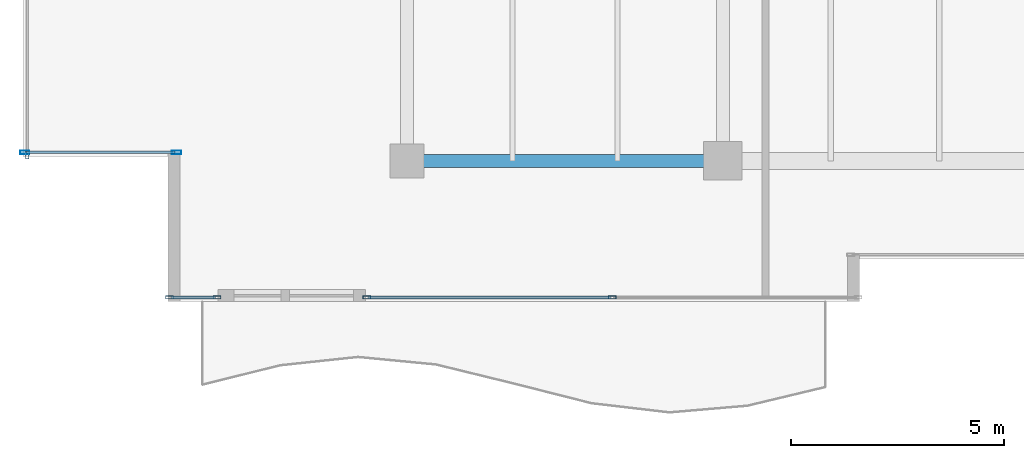
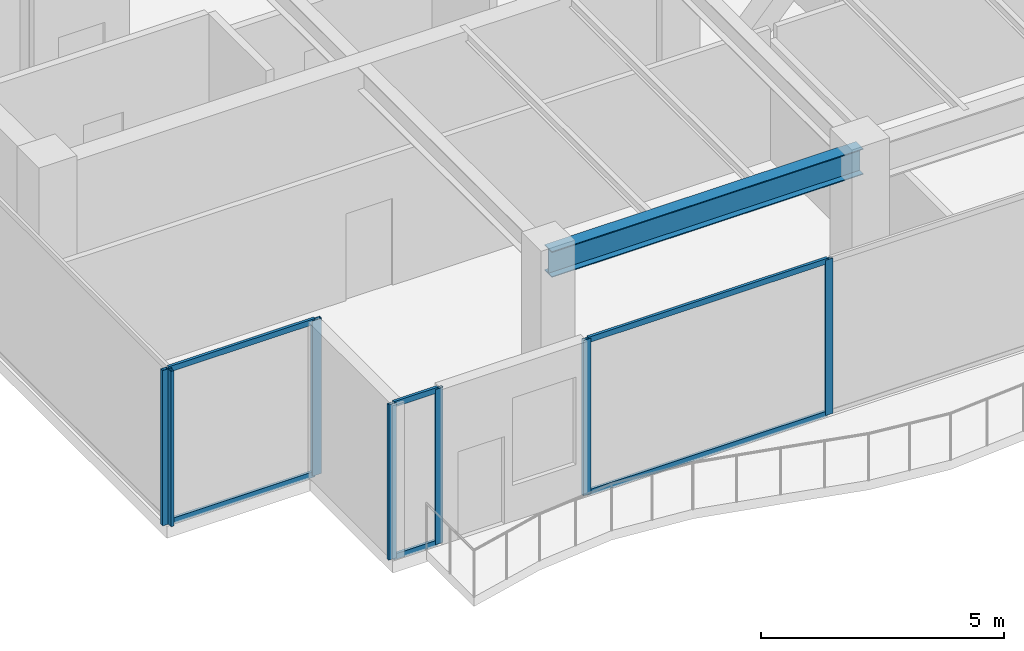
# One storey, part 4 of 31: 13 members, 1 beam, 4 elements without a shape of their own.
"""IFC4 building model written with IfcOpenShell, lengths in metres."""

from ifc_helpers import new_model, si_unit, direction, frame, origin, origin_2d, place, context, subcontext, project, spatial, hollow_rectangle, i_section, extrude, source, transform, mapped, material, layer, layer_set, material_profile, profile_set, type_object, type_shapes, element, aggregate, save


model = new_model("IFC4")

# Units and contexts
model_context = context("Model", 3, precision=1e-05, world=origin(), true_north=direction((0.0, 1.0)))
body_context = subcontext(model_context, "Body", "Model", "MODEL_VIEW")
ifc_project = project(units=[si_unit("LENGTHUNIT", "METRE"), si_unit("AREAUNIT", "SQUARE_METRE"), si_unit("VOLUMEUNIT", "CUBIC_METRE"), si_unit("PLANEANGLEUNIT", "RADIAN"), si_unit("MASSUNIT", "GRAM", prefix="KILO")], contexts=[model_context])

# Site, building, storey
site_placement = place(None, origin())
site = spatial("IfcSite", under=ifc_project, at=site_placement, CompositionType="ELEMENT")
building_placement = place(site_placement, origin())
building = spatial("IfcBuilding", under=site, at=building_placement, Name="Haelvirn Gate Laboratories", CompositionType="ELEMENT")
storey_placement = place(building_placement, frame((0.0, 0.0, 310.199951171875)))
storey = spatial("IfcBuildingStorey", under=building, at=storey_placement, Name="L74", CompositionType="ELEMENT", Elevation=310.199951171875)

# Beam
ifc_material_1 = material(Name="Steel SM355", Category="steel")
ifc_material_profile_1 = material_profile(ifc_material_1, i_section(OverallWidth=0.300048828125, OverallDepth=0.64990234375, WebThickness=0.012939453125, FlangeThickness=0.02197265625, at=origin_2d()), Name="H-650x300x13x22")
ifc_profile_set_1 = profile_set([ifc_material_profile_1], Name="Steel SM355")
beam_type = type_object("IfcBeamType", Name="BM-G-650", PredefinedType="BEAM", material=ifc_profile_set_1)
shared_shape_1 = source(origin(), body_context, "Body", "SweptSolid", [
    extrude(i_section(OverallWidth=0.300048828125, OverallDepth=0.64990234375, WebThickness=0.012939453125, FlangeThickness=0.02197265625, at=origin_2d()), origin(), (0.0, 0.0, 1.0), 7.39990234375),
])
type_shapes(beam_type, [shared_shape_1])
beam_placement = place(storey_placement, frame((14.800048828125, 7.0, 3.574951171875), z_axis=(1.0, 0.0, 0.0), x_axis=(0.0, 1.0, 0.0)))
element("IfcBeam", 1, at=beam_placement, inside=storey, type_object=beam_type, Name="L74 Primary Girder Y7.0 (14.8-22.2)", PredefinedType="BEAM", context=body_context, shape_type="MappedRepresentation", body=[
    mapped(shared_shape_1, transform((0.0, 0.0, 0.0), scale=1.0)),
])

# Curtain wall, members
ifc_material_2 = material(Name="Anodised bronze unitised aluminium & triple low-E glass", Category="aluminium")
ifc_layer_1 = layer(ifc_material_2, 0.176025390625, Name="CW-SYS-4")
ifc_layer_set_1 = layer_set([ifc_layer_1], Name="Anodised bronze unitised aluminium & triple low-E glass")
curtain_wall_type_1 = type_object("IfcCurtainWallType", Name="CW-SYS-4", PredefinedType="NOTDEFINED", material=ifc_layer_set_1)
curtain_wall_1_placement = place(storey_placement, origin())
curtain_wall_1 = element("IfcCurtainWall", 2, at=curtain_wall_1_placement, inside=storey, type_object=curtain_wall_type_1, Name="L74 Unitised Curtain Wall CW-L74-P0-E00-1", PredefinedType="NOTDEFINED")
ifc_material_3 = material(Name="Extruded aluminium 6063-T6 (anodised bronze)", Category="aluminium")
ifc_material_profile_2 = material_profile(ifc_material_3, hollow_rectangle(XDim=0.06494140625, YDim=0.139892578125, WallThickness=0.00390625, at=origin_2d()), Name="CWT-140x65x4")
ifc_profile_set_2 = profile_set([ifc_material_profile_2], Name="Extruded aluminium 6063-T6 (anodised bronze)")
member_type_1 = type_object("IfcMemberType", Name="CWT-T140", PredefinedType="USERDEFINED", material=ifc_profile_set_2)
shared_shape_2 = source(origin(), body_context, "Body", "SweptSolid", [
    extrude(hollow_rectangle(XDim=0.06494140625, YDim=0.139892578125, WallThickness=0.00390625, at=origin_2d()), origin(), (0.0, 0.0, 1.0), 1.0400390625),
])
member_1_placement = place(storey_placement, frame((9.27001953125, 3.800048828125, 0.032470703125), z_axis=(1.0, 0.0, 0.0), x_axis=(0.0, 1.0, 0.0)))
member_1 = element("IfcMember", 3, at=member_1_placement, type_object=member_type_1, Name="CW4 transom 1.1", ObjectType="TRANSOM", PredefinedType="USERDEFINED", context=body_context, shape_type="MappedRepresentation", body=[
    mapped(shared_shape_2, transform((0.0, 0.0, 0.0), scale=1.0)),
])
member_2_placement = place(storey_placement, frame((9.27001953125, 3.800048828125, 3.867431640625), z_axis=(1.0, 0.0, 0.0), x_axis=(0.0, 1.0, 0.0)))
member_2 = element("IfcMember", 4, at=member_2_placement, type_object=member_type_1, Name="CW4 transom 1.2", ObjectType="TRANSOM", PredefinedType="USERDEFINED", context=body_context, shape_type="MappedRepresentation", body=[
    mapped(shared_shape_2, transform((0.0, 0.0, 0.0), scale=1.0)),
])

ifc_layer_2 = layer(ifc_material_2, 0.181884765625, Name="CW-SYS-5")
ifc_layer_set_2 = layer_set([ifc_layer_2], Name="Anodised bronze unitised aluminium & triple low-E glass")
curtain_wall_type_2 = type_object("IfcCurtainWallType", Name="CW-SYS-5", PredefinedType="NOTDEFINED", material=ifc_layer_set_2)
curtain_wall_2_placement = place(storey_placement, origin())
curtain_wall_2 = element("IfcCurtainWall", 5, at=curtain_wall_2_placement, inside=storey, type_object=curtain_wall_type_2, Name="L74 Unitised Curtain Wall CW-L74-P0-E18-1", PredefinedType="NOTDEFINED")
shared_shape_3 = source(origin(), body_context, "Body", "SweptSolid", [
    extrude(hollow_rectangle(XDim=0.06494140625, YDim=0.139892578125, WallThickness=0.00390625, at=origin_2d()), origin(), (0.0, 0.0, 1.0), 3.480224609375),
])
member_3_placement = place(storey_placement, frame((5.8798828125, 7.199951171875, 0.032470703125), z_axis=(1.0, 0.0, 0.0), x_axis=(0.0, 1.0, 0.0)))
member_3 = element("IfcMember", 6, at=member_3_placement, type_object=member_type_1, Name="CW5 transom 1.1", ObjectType="TRANSOM", PredefinedType="USERDEFINED", context=body_context, shape_type="MappedRepresentation", body=[
    mapped(shared_shape_3, transform((0.0, 0.0, 0.0), scale=1.0)),
])
member_4_placement = place(storey_placement, frame((5.8798828125, 7.199951171875, 3.867431640625), z_axis=(1.0, 0.0, 0.0), x_axis=(0.0, 1.0, 0.0)))
member_4 = element("IfcMember", 7, at=member_4_placement, type_object=member_type_1, Name="CW5 transom 1.2", ObjectType="TRANSOM", PredefinedType="USERDEFINED", context=body_context, shape_type="MappedRepresentation", body=[
    mapped(shared_shape_3, transform((0.0, 0.0, 0.0), scale=1.0)),
])

# Member
ifc_material_profile_3 = material_profile(ifc_material_3, hollow_rectangle(XDim=0.070068359375, YDim=0.179931640625, WallThickness=0.0048828125, at=origin_2d()), Name="CWM-180x70x5")
ifc_profile_set_3 = profile_set([ifc_material_profile_3], Name="Extruded aluminium 6063-T6 (anodised bronze)")
member_type_2 = type_object("IfcMemberType", Name="CWM-T180", PredefinedType="MULLION", material=ifc_profile_set_3)
shared_shape_4 = source(origin(), body_context, "Body", "SweptSolid", [
    extrude(hollow_rectangle(XDim=0.070068359375, YDim=0.179931640625, WallThickness=0.0048828125, at=origin_2d()), origin(), (0.0, 0.0, 1.0), 3.900146484375),
])
type_shapes(member_type_2, [shared_shape_4])
member_5_placement = place(storey_placement, frame((9.235107421875, 3.800048828125, 0.0), z_axis=(0.0, 0.0, 1.0), x_axis=(0.0, 1.0, 0.0)))
member_5 = element("IfcMember", 8, at=member_5_placement, type_object=member_type_2, Name="CW4 mullion 1", PredefinedType="MULLION", context=body_context, shape_type="MappedRepresentation", body=[
    mapped(shared_shape_4, transform((0.0, 0.0, 0.0), scale=1.0)),
])

member_6_placement = place(storey_placement, frame((10.344970703125, 3.800048828125, 0.0), z_axis=(0.0, 0.0, 1.0), x_axis=(0.0, 1.0, 0.0)))
member_6 = element("IfcMember", 9, at=member_6_placement, type_object=member_type_2, Name="CW4 mullion 2", PredefinedType="MULLION", context=body_context, shape_type="MappedRepresentation", body=[
    mapped(shared_shape_4, transform((0.0, 0.0, 0.0), scale=1.0)),
])

aggregate(curtain_wall_1, [member_5, member_6, member_1, member_2])

# Curtain wall, members
curtain_wall_3_placement = place(storey_placement, origin())
curtain_wall_3 = element("IfcCurtainWall", 10, at=curtain_wall_3_placement, inside=storey, type_object=curtain_wall_type_1, Name="L74 Unitised Curtain Wall CW-L74-P0-E00-2", PredefinedType="NOTDEFINED")
member_7_placement = place(storey_placement, frame((13.85498046875, 3.800048828125, 0.0), z_axis=(0.0, 0.0, 1.0), x_axis=(0.0, 1.0, 0.0)))
member_7 = element("IfcMember", 11, at=member_7_placement, type_object=member_type_2, Name="CW4 mullion 1", PredefinedType="MULLION", context=body_context, shape_type="MappedRepresentation", body=[
    mapped(shared_shape_4, transform((0.0, 0.0, 0.0), scale=1.0)),
])
member_8_placement = place(storey_placement, frame((19.610107421875, 3.800048828125, 0.0), z_axis=(0.0, 0.0, 1.0), x_axis=(0.0, 1.0, 0.0)))
member_8 = element("IfcMember", 12, at=member_8_placement, type_object=member_type_2, Name="CW4 mullion 2", PredefinedType="MULLION", context=body_context, shape_type="MappedRepresentation", body=[
    mapped(shared_shape_4, transform((0.0, 0.0, 0.0), scale=1.0)),
])

# Curtain wall, member
curtain_wall_4_placement = place(storey_placement, origin())
curtain_wall_4 = element("IfcCurtainWall", 13, at=curtain_wall_4_placement, inside=storey, type_object=curtain_wall_type_1, Name="L74 Unitised Curtain Wall CW-L74-P0-E17", PredefinedType="NOTDEFINED")
member_9_placement = place(storey_placement, frame((5.89990234375, 7.135009765625, 0.0), z_axis=(0.0, 0.0, 1.0), x_axis=(1.0, 0.0, 0.0)))
member_9 = element("IfcMember", 14, at=member_9_placement, type_object=member_type_2, Name="CW4 mullion 3", PredefinedType="MULLION", context=body_context, shape_type="MappedRepresentation", body=[
    mapped(shared_shape_4, transform((0.0, 0.0, 0.0), scale=1.0)),
])
aggregate(curtain_wall_4, [member_9])

# Member
shared_shape_5 = source(origin(), body_context, "Body", "SweptSolid", [
    extrude(hollow_rectangle(XDim=0.06494140625, YDim=0.139892578125, WallThickness=0.00390625, at=origin_2d()), origin(), (0.0, 0.0, 1.0), 5.68505859375),
])
type_shapes(member_type_1, [shared_shape_2, shared_shape_3, shared_shape_5])
member_10_placement = place(storey_placement, frame((13.889892578125, 3.800048828125, 0.032470703125), z_axis=(1.0, 0.0, 0.0), x_axis=(0.0, 1.0, 0.0)))
member_10 = element("IfcMember", 15, at=member_10_placement, type_object=member_type_1, Name="CW4 transom 1.1", ObjectType="TRANSOM", PredefinedType="USERDEFINED", context=body_context, shape_type="MappedRepresentation", body=[
    mapped(shared_shape_5, transform((0.0, 0.0, 0.0), scale=1.0)),
])

member_11_placement = place(storey_placement, frame((13.889892578125, 3.800048828125, 3.867431640625), z_axis=(1.0, 0.0, 0.0), x_axis=(0.0, 1.0, 0.0)))
member_11 = element("IfcMember", 16, at=member_11_placement, type_object=member_type_1, Name="CW4 transom 1.2", ObjectType="TRANSOM", PredefinedType="USERDEFINED", context=body_context, shape_type="MappedRepresentation", body=[
    mapped(shared_shape_5, transform((0.0, 0.0, 0.0), scale=1.0)),
])

aggregate(curtain_wall_3, [member_7, member_8, member_10, member_11])

ifc_material_profile_4 = material_profile(ifc_material_3, hollow_rectangle(XDim=0.080078125, YDim=0.219970703125, WallThickness=0.006103515625, at=origin_2d()), Name="CWM-220x80x6")
ifc_profile_set_4 = profile_set([ifc_material_profile_4], Name="Extruded aluminium 6063-T6 (anodised bronze)")
member_type_3 = type_object("IfcMemberType", Name="CWM-T220", PredefinedType="MULLION", material=ifc_profile_set_4)
shared_shape_6 = source(origin(), body_context, "Body", "SweptSolid", [
    extrude(hollow_rectangle(XDim=0.080078125, YDim=0.219970703125, WallThickness=0.006103515625, at=origin_2d()), origin(), (0.0, 0.0, 1.0), 3.900146484375),
])
type_shapes(member_type_3, [shared_shape_6])
member_12_placement = place(storey_placement, frame((5.840087890625, 7.199951171875, 0.0), z_axis=(0.0, 0.0, 1.0), x_axis=(0.0, 1.0, 0.0)))
member_12 = element("IfcMember", 17, at=member_12_placement, type_object=member_type_3, Name="CW5 mullion 1", PredefinedType="MULLION", context=body_context, shape_type="MappedRepresentation", body=[
    mapped(shared_shape_6, transform((0.0, 0.0, 0.0), scale=1.0)),
])

member_13_placement = place(storey_placement, frame((9.39990234375, 7.199951171875, 0.0), z_axis=(0.0, 0.0, 1.0), x_axis=(0.0, 1.0, 0.0)))
member_13 = element("IfcMember", 18, at=member_13_placement, type_object=member_type_3, Name="CW5 mullion 2", PredefinedType="MULLION", context=body_context, shape_type="MappedRepresentation", body=[
    mapped(shared_shape_6, transform((0.0, 0.0, 0.0), scale=1.0)),
])

aggregate(curtain_wall_2, [member_12, member_13, member_3, member_4])

save(model, "model.ifc")
